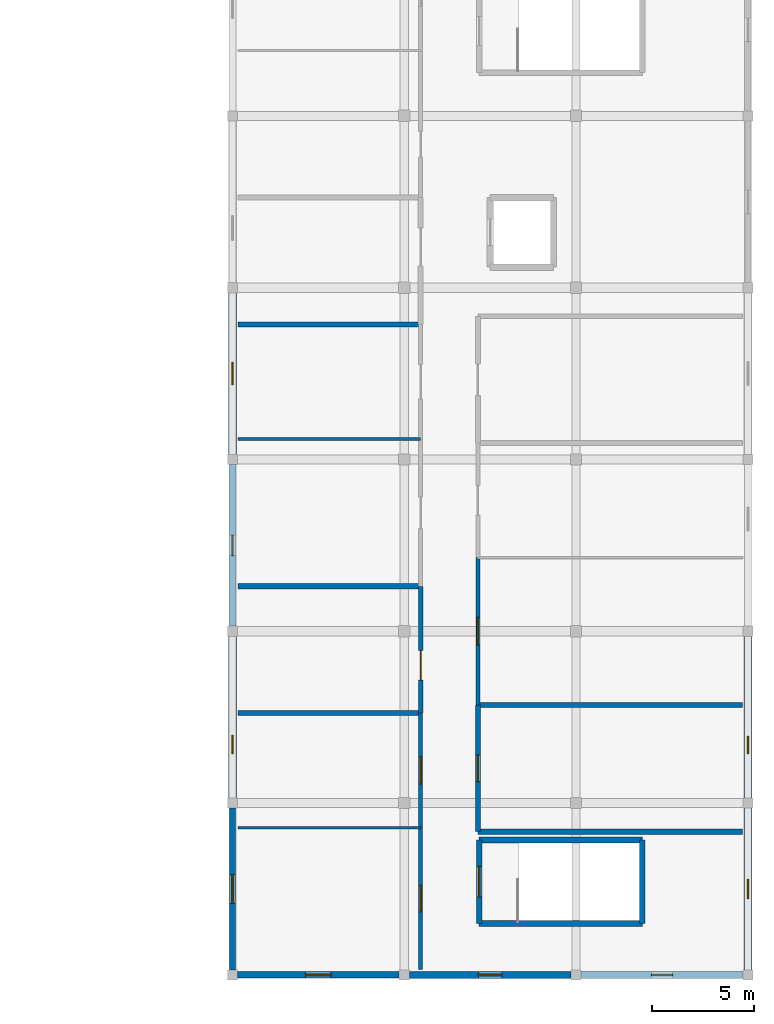
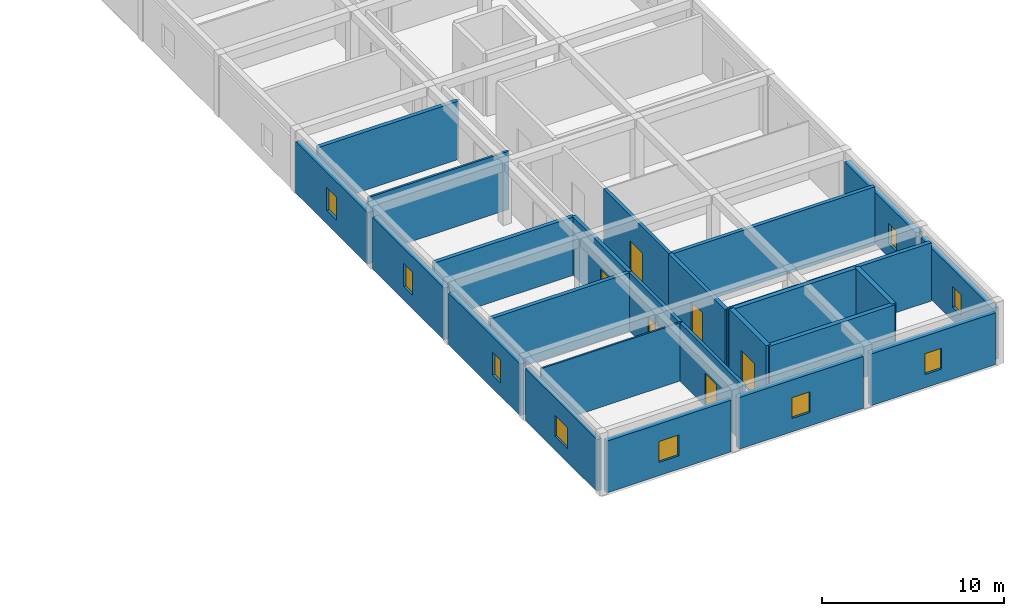
# One storey, part 15 of 28: 25 walls, 9 windows, 6 doors, 15 openings.
"""IFC4 building model written with IfcOpenShell, lengths in metres."""

from ifc_helpers import new_model, si_unit, direction, frame, frame_2d, origin, place, context, subcontext, project, spatial, rectangle, extrude, material, layer, layer_set, type_object, element, fill, save


model = new_model("IFC4")

# Units and contexts
model_context = context("Model", 3, precision=1e-05, world=origin(), true_north=direction((0.0, 1.0)))
body_context = subcontext(model_context, "Body", "Model", "MODEL_VIEW")
ifc_project = project(units=[si_unit("LENGTHUNIT", "METRE"), si_unit("AREAUNIT", "SQUARE_METRE"), si_unit("VOLUMEUNIT", "CUBIC_METRE"), si_unit("PLANEANGLEUNIT", "RADIAN"), si_unit("MASSUNIT", "GRAM", prefix="KILO")], contexts=[model_context])

# Site, building, storey
site_placement = place(None, origin())
site = spatial("IfcSite", under=ifc_project, at=site_placement, CompositionType="ELEMENT")
building_placement = place(site_placement, origin())
building = spatial("IfcBuilding", under=site, at=building_placement, Name="Varncliffe General Hospital", CompositionType="ELEMENT")
storey_placement = place(building_placement, frame((0.0, 0.0, 24.60009765625)))
storey = spatial("IfcBuildingStorey", under=building, at=storey_placement, Name="L05", CompositionType="ELEMENT", Elevation=24.60009765625)

# Wall, opening, window
ifc_material_1 = material(Name="Precast concrete C40/50 with insulated cream lime-cement stucco", Category="concrete")
ifc_layer_1 = layer(ifc_material_1, 0.31005859375)
ifc_layer_set_1 = layer_set([ifc_layer_1], Name="Precast concrete C40/50 with insulated cream lime-cement stucco")
wall_type_1 = type_object("IfcWallType", Name="Exterior Insulated Stucco Wall EW20 (310mm)", PredefinedType="SOLIDWALL", material=ifc_layer_set_1)
wall_1_placement = place(storey_placement, frame((159.35205078125, 15.60009765625, 0.0), z_axis=(0.0, 0.0, 1.0), x_axis=(-1.0, 0.0, 0.0)))
wall_1 = element("IfcWall", 1, at=wall_1_placement, inside=storey, type_object=wall_type_1, Name="L05 Exterior Stucco Wall EW20-464", PredefinedType="SOLIDWALL", context=body_context, shape_type="SweptSolid", body=[
    extrude(rectangle(XDim=7.904052734375, YDim=0.31005859375, at=frame_2d((3.9521484375, 0.0))), origin(), (0.0, 0.0, 1.0), 3.47998046875),
])
opening_1_placement = place(wall_1_placement, frame((3.326904296875, 0.0, 0.89990234375)))
opening_1 = element("IfcOpeningElement", 2, at=opening_1_placement, cuts=wall_1, Name="Opening WN43", PredefinedType="OPENING", context=body_context, shape_type="SweptSolid", body=[
    extrude(rectangle(XDim=1.25, YDim=1.39990234375, at=frame_2d((0.625, 0.699951171875))), frame((0.0, 0.1650390625, 0.0), z_axis=(0.0, -1.0, 0.0), x_axis=(1.0, 0.0, 0.0)), (0.0, 0.0, 1.0), 0.330078125),
])
ifc_material_2 = material(Name="Triple low-E argon insulated vision glazing", Category="glass")
window_type_1 = type_object("IfcWindowType", Name="Triple-Glazed Hospital Window WN43 (1250x1400)", PartitioningType="SINGLE_PANEL", PredefinedType="WINDOW", material=ifc_material_2)
window_1_placement = place(opening_1_placement, origin())
window_1 = element("IfcWindow", 3, at=window_1_placement, inside=storey, type_object=window_type_1, Name="L05 Hospital Window WN43-357", OverallHeight=1.39990234375, OverallWidth=1.25, PartitioningType="SINGLE_PANEL", PredefinedType="WINDOW", context=body_context, shape_type="SweptSolid", body=[
    extrude(rectangle(XDim=1.25, YDim=1.39990234375, at=frame_2d((0.625, 0.699951171875))), frame((0.0, 0.030029296875, 0.0), z_axis=(0.0, -1.0, 0.0), x_axis=(1.0, 0.0, 0.0)), (0.0, 0.0, 1.0), 0.06005859375),
])
fill(opening_1, window_1)

ifc_layer_2 = layer(ifc_material_1, 0.3798828125)
ifc_layer_set_2 = layer_set([ifc_layer_2], Name="Precast concrete C40/50 with insulated cream lime-cement stucco")
wall_type_2 = type_object("IfcWallType", Name="Exterior Insulated Stucco Wall EW26 (380mm)", PredefinedType="SOLIDWALL", material=ifc_layer_set_2)
wall_2_placement = place(storey_placement, frame((176.39990234375, 23.751953125, 0.0), z_axis=(0.0, 0.0, 1.0), x_axis=(0.0, -1.0, 0.0)))
wall_2 = element("IfcWall", 4, at=wall_2_placement, inside=storey, type_object=wall_type_2, Name="L05 Exterior Stucco Wall EW26-461", PredefinedType="SOLIDWALL", context=body_context, shape_type="SweptSolid", body=[
    extrude(rectangle(XDim=7.904052734375, YDim=0.3798828125, at=frame_2d((3.9521484375, 0.0))), origin(), (0.0, 0.0, 1.0), 3.47998046875),
])
opening_2_placement = place(wall_2_placement, frame((3.47705078125, 0.0, 0.89990234375)))
opening_2 = element("IfcOpeningElement", 5, at=opening_2_placement, cuts=wall_2, Name="Opening WN39", PredefinedType="OPENING", context=body_context, shape_type="SweptSolid", body=[
    extrude(rectangle(XDim=0.949951171875, YDim=1.39990234375, at=frame_2d((0.47509765625, 0.699951171875))), frame((0.0, 0.199951171875, 0.0), z_axis=(0.0, -1.0, 0.0), x_axis=(1.0, 0.0, 0.0)), (0.0, 0.0, 1.0), 0.39990234375),
])
window_type_2 = type_object("IfcWindowType", Name="Triple-Glazed Hospital Window WN39 (950x1400)", PartitioningType="SINGLE_PANEL", PredefinedType="WINDOW", material=ifc_material_2)
window_2_placement = place(opening_2_placement, origin())
window_2 = element("IfcWindow", 6, at=window_2_placement, inside=storey, type_object=window_type_2, Name="L05 Hospital Window WN39-354", OverallHeight=1.39990234375, OverallWidth=0.949951171875, PartitioningType="SINGLE_PANEL", PredefinedType="WINDOW", context=body_context, shape_type="SweptSolid", body=[
    extrude(rectangle(XDim=0.949951171875, YDim=1.39990234375, at=frame_2d((0.47509765625, 0.699951171875))), frame((0.0, 0.030029296875, 0.0), z_axis=(0.0, -1.0, 0.0), x_axis=(1.0, 0.0, 0.0)), (0.0, 0.0, 1.0), 0.06005859375),
])
fill(opening_2, window_2)

wall_3_placement = place(storey_placement, frame((151.199951171875, 24.248046875, 0.0), z_axis=(0.0, 0.0, 1.0), x_axis=(0.0, 1.0, 0.0)))
wall_3 = element("IfcWall", 7, at=wall_3_placement, inside=storey, type_object=wall_type_2, Name="L05 Exterior Stucco Wall EW26-466", PredefinedType="SOLIDWALL", context=body_context, shape_type="SweptSolid", body=[
    extrude(rectangle(XDim=7.904052734375, YDim=0.3798828125, at=frame_2d((3.9521484375, 0.0))), origin(), (0.0, 0.0, 1.0), 3.47998046875),
])
opening_3_placement = place(wall_3_placement, frame((2.1591796875, 0.0, 0.89990234375)))
opening_3 = element("IfcOpeningElement", 8, at=opening_3_placement, cuts=wall_3, Name="Opening WN45", PredefinedType="OPENING", context=body_context, shape_type="SweptSolid", body=[
    extrude(rectangle(XDim=0.89990234375, YDim=1.550048828125, at=frame_2d((0.449951171875, 0.77490234375))), frame((0.0, 0.199951171875, 0.0), z_axis=(0.0, -1.0, 0.0), x_axis=(1.0, 0.0, 0.0)), (0.0, 0.0, 1.0), 0.39990234375),
])
window_type_3 = type_object("IfcWindowType", Name="Triple-Glazed Hospital Window WN45 (900x1550)", PartitioningType="SINGLE_PANEL", PredefinedType="WINDOW", material=ifc_material_2)
window_3_placement = place(opening_3_placement, origin())
window_3 = element("IfcWindow", 9, at=window_3_placement, inside=storey, type_object=window_type_3, Name="L05 Hospital Window WN45-359", OverallHeight=1.550048828125, OverallWidth=0.89990234375, PartitioningType="SINGLE_PANEL", PredefinedType="WINDOW", context=body_context, shape_type="SweptSolid", body=[
    extrude(rectangle(XDim=0.89990234375, YDim=1.550048828125, at=frame_2d((0.449951171875, 0.77490234375))), frame((0.0, 0.030029296875, 0.0), z_axis=(0.0, -1.0, 0.0), x_axis=(1.0, 0.0, 0.0)), (0.0, 0.0, 1.0), 0.06005859375),
])
fill(opening_3, window_3)

ifc_layer_3 = layer(ifc_material_1, 0.2900390625)
ifc_layer_set_3 = layer_set([ifc_layer_3], Name="Precast concrete C40/50 with insulated cream lime-cement stucco")
wall_type_3 = type_object("IfcWallType", Name="Exterior Insulated Stucco Wall EW31 (290mm)", PredefinedType="SOLIDWALL", material=ifc_layer_set_3)
wall_4_placement = place(storey_placement, frame((151.199951171875, 15.847900390625, 0.0), z_axis=(0.0, 0.0, 1.0), x_axis=(0.0, 1.0, 0.0)))
wall_4 = element("IfcWall", 10, at=wall_4_placement, inside=storey, type_object=wall_type_3, Name="L05 Exterior Stucco Wall EW31-465", PredefinedType="SOLIDWALL", context=body_context, shape_type="SweptSolid", body=[
    extrude(rectangle(XDim=7.904052734375, YDim=0.2900390625, at=frame_2d((3.9521484375, 0.0))), origin(), (0.0, 0.0, 1.0), 3.47998046875),
])
opening_4_placement = place(wall_4_placement, frame((3.251953125, 0.0, 0.89990234375)))
opening_4 = element("IfcOpeningElement", 11, at=opening_4_placement, cuts=wall_4, Name="Opening WN76", PredefinedType="OPENING", context=body_context, shape_type="SweptSolid", body=[
    extrude(rectangle(XDim=1.39990234375, YDim=1.39990234375, at=frame_2d((0.699951171875, 0.699951171875))), frame((0.0, 0.155029296875, 0.0), z_axis=(0.0, -1.0, 0.0), x_axis=(1.0, 0.0, 0.0)), (0.0, 0.0, 1.0), 0.31005859375),
])
window_type_4 = type_object("IfcWindowType", Name="Triple-Glazed Hospital Window WN76 (1400x1400)", PartitioningType="SINGLE_PANEL", PredefinedType="WINDOW", material=ifc_material_2)
window_4_placement = place(opening_4_placement, origin())
window_4 = element("IfcWindow", 12, at=window_4_placement, inside=storey, type_object=window_type_4, Name="L05 Hospital Window WN76-358", OverallHeight=1.39990234375, OverallWidth=1.39990234375, PartitioningType="SINGLE_PANEL", PredefinedType="WINDOW", context=body_context, shape_type="SweptSolid", body=[
    extrude(rectangle(XDim=1.39990234375, YDim=1.39990234375, at=frame_2d((0.699951171875, 0.699951171875))), frame((0.0, 0.030029296875, 0.0), z_axis=(0.0, -1.0, 0.0), x_axis=(1.0, 0.0, 0.0)), (0.0, 0.0, 1.0), 0.06005859375),
])
fill(opening_4, window_4)

ifc_layer_4 = layer(ifc_material_1, 0.330078125)
ifc_layer_set_4 = layer_set([ifc_layer_4], Name="Precast concrete C40/50 with insulated cream lime-cement stucco")
wall_type_4 = type_object("IfcWallType", Name="Exterior Insulated Stucco Wall EW33 (330mm)", PredefinedType="SOLIDWALL", material=ifc_layer_set_4)
wall_5_placement = place(storey_placement, frame((167.751953125, 15.60009765625, 0.0), z_axis=(0.0, 0.0, 1.0), x_axis=(-1.0, 0.0, 0.0)))
wall_5 = element("IfcWall", 13, at=wall_5_placement, inside=storey, type_object=wall_type_4, Name="L05 Exterior Stucco Wall EW33-463", PredefinedType="SOLIDWALL", context=body_context, shape_type="SweptSolid", body=[
    extrude(rectangle(XDim=7.904052734375, YDim=0.330078125, at=frame_2d((3.9521484375, 0.0))), origin(), (0.0, 0.0, 1.0), 3.47998046875),
])
opening_5_placement = place(wall_5_placement, frame((3.376953125, 0.0, 0.89990234375)))
opening_5 = element("IfcOpeningElement", 14, at=opening_5_placement, cuts=wall_5, Name="Opening WN62", PredefinedType="OPENING", context=body_context, shape_type="SweptSolid", body=[
    extrude(rectangle(XDim=1.14990234375, YDim=1.39990234375, at=frame_2d((0.574951171875, 0.699951171875))), frame((0.0, 0.175048828125, 0.0), z_axis=(0.0, -1.0, 0.0), x_axis=(1.0, 0.0, 0.0)), (0.0, 0.0, 1.0), 0.35009765625),
])
window_type_5 = type_object("IfcWindowType", Name="Triple-Glazed Hospital Window WN62 (1150x1400)", PartitioningType="SINGLE_PANEL", PredefinedType="WINDOW", material=ifc_material_2)
window_5_placement = place(opening_5_placement, origin())
window_5 = element("IfcWindow", 15, at=window_5_placement, inside=storey, type_object=window_type_5, Name="L05 Hospital Window WN62-356", OverallHeight=1.39990234375, OverallWidth=1.14990234375, PartitioningType="SINGLE_PANEL", PredefinedType="WINDOW", context=body_context, shape_type="SweptSolid", body=[
    extrude(rectangle(XDim=1.14990234375, YDim=1.39990234375, at=frame_2d((0.574951171875, 0.699951171875))), frame((0.0, 0.030029296875, 0.0), z_axis=(0.0, -1.0, 0.0), x_axis=(1.0, 0.0, 0.0)), (0.0, 0.0, 1.0), 0.06005859375),
])
fill(opening_5, window_5)

ifc_layer_5 = layer(ifc_material_1, 0.35009765625)
ifc_layer_set_5 = layer_set([ifc_layer_5], Name="Precast concrete C40/50 with insulated cream lime-cement stucco")
wall_type_5 = type_object("IfcWallType", Name="Exterior Insulated Stucco Wall EW37 (350mm)", PredefinedType="SOLIDWALL", material=ifc_layer_set_5)
wall_6_placement = place(storey_placement, frame((176.152099609375, 15.60009765625, 0.0), z_axis=(0.0, 0.0, 1.0), x_axis=(-1.0, 0.0, 0.0)))
wall_6 = element("IfcWall", 16, at=wall_6_placement, inside=storey, type_object=wall_type_5, Name="L05 Exterior Stucco Wall EW37-462", PredefinedType="SOLIDWALL", context=body_context, shape_type="SweptSolid", body=[
    extrude(rectangle(XDim=7.904052734375, YDim=0.35009765625, at=frame_2d((3.9521484375, 0.0))), origin(), (0.0, 0.0, 1.0), 3.47998046875),
])
opening_6_placement = place(wall_6_placement, frame((3.427001953125, 0.0, 0.89990234375)))
opening_6 = element("IfcOpeningElement", 17, at=opening_6_placement, cuts=wall_6, Name="Opening WN68", PredefinedType="OPENING", context=body_context, shape_type="SweptSolid", body=[
    extrude(rectangle(XDim=1.050048828125, YDim=1.39990234375, at=frame_2d((0.52490234375, 0.699951171875))), frame((0.0, 0.18505859375, 0.0), z_axis=(0.0, -1.0, 0.0), x_axis=(1.0, 0.0, 0.0)), (0.0, 0.0, 1.0), 0.3701171875),
])
window_type_6 = type_object("IfcWindowType", Name="Triple-Glazed Hospital Window WN68 (1050x1400)", PartitioningType="SINGLE_PANEL", PredefinedType="WINDOW", material=ifc_material_2)
window_6_placement = place(opening_6_placement, origin())
window_6 = element("IfcWindow", 18, at=window_6_placement, inside=storey, type_object=window_type_6, Name="L05 Hospital Window WN68-355", OverallHeight=1.39990234375, OverallWidth=1.050048828125, PartitioningType="SINGLE_PANEL", PredefinedType="WINDOW", context=body_context, shape_type="SweptSolid", body=[
    extrude(rectangle(XDim=1.050048828125, YDim=1.39990234375, at=frame_2d((0.52490234375, 0.699951171875))), frame((0.0, 0.030029296875, 0.0), z_axis=(0.0, -1.0, 0.0), x_axis=(1.0, 0.0, 0.0)), (0.0, 0.0, 1.0), 0.06005859375),
])
fill(opening_6, window_6)

wall_7_placement = place(storey_placement, frame((151.199951171875, 32.64794921875, 0.0), z_axis=(0.0, 0.0, 1.0), x_axis=(0.0, 1.0, 0.0)))
wall_7 = element("IfcWall", 19, at=wall_7_placement, inside=storey, type_object=wall_type_5, Name="L05 Exterior Stucco Wall EW37-467", PredefinedType="SOLIDWALL", context=body_context, shape_type="SweptSolid", body=[
    extrude(rectangle(XDim=7.904052734375, YDim=0.35009765625, at=frame_2d((3.9521484375, 0.0))), origin(), (0.0, 0.0, 1.0), 3.47998046875),
])
opening_7_placement = place(wall_7_placement, frame((3.451904296875, 0.0, 0.89990234375)))
opening_7 = element("IfcOpeningElement", 20, at=opening_7_placement, cuts=wall_7, Name="Opening WN21", PredefinedType="OPENING", context=body_context, shape_type="SweptSolid", body=[
    extrude(rectangle(XDim=1.0, YDim=1.550048828125, at=frame_2d((0.5, 0.77490234375))), frame((0.0, 0.18505859375, 0.0), z_axis=(0.0, -1.0, 0.0), x_axis=(1.0, 0.0, 0.0)), (0.0, 0.0, 1.0), 0.3701171875),
])
window_type_7 = type_object("IfcWindowType", Name="Triple-Glazed Hospital Window WN21 (1000x1550)", PartitioningType="SINGLE_PANEL", PredefinedType="WINDOW", material=ifc_material_2)
window_7_placement = place(opening_7_placement, origin())
window_7 = element("IfcWindow", 21, at=window_7_placement, inside=storey, type_object=window_type_7, Name="L05 Hospital Window WN21-360", OverallHeight=1.550048828125, OverallWidth=1.0, PartitioningType="SINGLE_PANEL", PredefinedType="WINDOW", context=body_context, shape_type="SweptSolid", body=[
    extrude(rectangle(XDim=1.0, YDim=1.550048828125, at=frame_2d((0.5, 0.77490234375))), frame((0.0, 0.030029296875, 0.0), z_axis=(0.0, -1.0, 0.0), x_axis=(1.0, 0.0, 0.0)), (0.0, 0.0, 1.0), 0.06005859375),
])
fill(opening_7, window_7)

ifc_layer_6 = layer(ifc_material_1, 0.39990234375)
ifc_layer_set_6 = layer_set([ifc_layer_6], Name="Precast concrete C40/50 with insulated cream lime-cement stucco")
wall_type_6 = type_object("IfcWallType", Name="Exterior Insulated Stucco Wall EW47 (400mm)", PredefinedType="SOLIDWALL", material=ifc_layer_set_6)
wall_8_placement = place(storey_placement, frame((176.39990234375, 32.152099609375, 0.0), z_axis=(0.0, 0.0, 1.0), x_axis=(0.0, -1.0, 0.0)))
wall_8 = element("IfcWall", 22, at=wall_8_placement, inside=storey, type_object=wall_type_6, Name="L05 Exterior Stucco Wall EW47-460", PredefinedType="SOLIDWALL", context=body_context, shape_type="SweptSolid", body=[
    extrude(rectangle(XDim=7.904052734375, YDim=0.39990234375, at=frame_2d((3.9521484375, 0.0))), origin(), (0.0, 0.0, 1.0), 3.47998046875),
])
opening_8_placement = place(wall_8_placement, frame((4.880859375, 0.0, 0.89990234375)))
opening_8 = element("IfcOpeningElement", 23, at=opening_8_placement, cuts=wall_8, Name="Opening WN77", PredefinedType="OPENING", context=body_context, shape_type="SweptSolid", body=[
    extrude(rectangle(XDim=0.85009765625, YDim=1.39990234375, at=frame_2d((0.425048828125, 0.699951171875))), frame((0.0, 0.2099609375, 0.0), z_axis=(0.0, -1.0, 0.0), x_axis=(1.0, 0.0, 0.0)), (0.0, 0.0, 1.0), 0.419921875),
])
window_type_8 = type_object("IfcWindowType", Name="Triple-Glazed Hospital Window WN77 (850x1400)", PartitioningType="SINGLE_PANEL", PredefinedType="WINDOW", material=ifc_material_2)
window_8_placement = place(opening_8_placement, origin())
window_8 = element("IfcWindow", 24, at=window_8_placement, inside=storey, type_object=window_type_8, Name="L05 Hospital Window WN77-353", OverallHeight=1.39990234375, OverallWidth=0.85009765625, PartitioningType="SINGLE_PANEL", PredefinedType="WINDOW", context=body_context, shape_type="SweptSolid", body=[
    extrude(rectangle(XDim=0.85009765625, YDim=1.39990234375, at=frame_2d((0.425048828125, 0.699951171875))), frame((0.0, 0.030029296875, 0.0), z_axis=(0.0, -1.0, 0.0), x_axis=(1.0, 0.0, 0.0)), (0.0, 0.0, 1.0), 0.06005859375),
])
fill(opening_8, window_8)

wall_9_placement = place(storey_placement, frame((151.199951171875, 41.048095703125, 0.0), z_axis=(0.0, 0.0, 1.0), x_axis=(0.0, 1.0, 0.0)))
wall_9 = element("IfcWall", 25, at=wall_9_placement, inside=storey, type_object=wall_type_6, Name="L05 Exterior Stucco Wall EW47-468", PredefinedType="SOLIDWALL", context=body_context, shape_type="SweptSolid", body=[
    extrude(rectangle(XDim=7.90380859375, YDim=0.39990234375, at=frame_2d((3.951904296875, 0.0))), origin(), (0.0, 0.0, 1.0), 3.47998046875),
])
opening_9_placement = place(wall_9_placement, frame((3.402099609375, 0.0, 0.89990234375)))
opening_9 = element("IfcOpeningElement", 26, at=opening_9_placement, cuts=wall_9, Name="Opening WN69", PredefinedType="OPENING", context=body_context, shape_type="SweptSolid", body=[
    extrude(rectangle(XDim=1.10009765625, YDim=1.550048828125, at=frame_2d((0.550048828125, 0.77490234375))), frame((0.0, 0.2099609375, 0.0), z_axis=(0.0, -1.0, 0.0), x_axis=(1.0, 0.0, 0.0)), (0.0, 0.0, 1.0), 0.419921875),
])
window_type_9 = type_object("IfcWindowType", Name="Triple-Glazed Hospital Window WN69 (1100x1550)", PartitioningType="SINGLE_PANEL", PredefinedType="WINDOW", material=ifc_material_2)
window_9_placement = place(opening_9_placement, origin())
window_9 = element("IfcWindow", 27, at=window_9_placement, inside=storey, type_object=window_type_9, Name="L05 Hospital Window WN69-361", OverallHeight=1.550048828125, OverallWidth=1.10009765625, PartitioningType="SINGLE_PANEL", PredefinedType="WINDOW", context=body_context, shape_type="SweptSolid", body=[
    extrude(rectangle(XDim=1.10009765625, YDim=1.550048828125, at=frame_2d((0.550048828125, 0.77490234375))), frame((0.0, 0.030029296875, 0.0), z_axis=(0.0, -1.0, 0.0), x_axis=(1.0, 0.0, 0.0)), (0.0, 0.0, 1.0), 0.06005859375),
])
fill(opening_9, window_9)

# Walls
ifc_material_3 = material(Name="Acoustic clinical gypsum stud partition assembly", Category="gypsum")
ifc_layer_7 = layer(ifc_material_3, 0.1298828125)
ifc_layer_set_7 = layer_set([ifc_layer_7], Name="Acoustic clinical gypsum stud partition assembly")
wall_type_7 = type_object("IfcWallType", Name="Interior Partitioning IW11 (130mm)", PredefinedType="PARTITIONING", material=ifc_layer_set_7)
wall_10_placement = place(storey_placement, frame((151.4599609375, 41.800048828125, 0.0), z_axis=(0.0, 0.0, 1.0), x_axis=(1.0, 0.0, 0.0)))
element("IfcWall", 28, at=wall_10_placement, inside=storey, type_object=wall_type_7, Name="L05 Interior Partition Wall IW11-2008", PredefinedType="PARTITIONING", context=body_context, shape_type="SweptSolid", body=[
    extrude(rectangle(XDim=8.93994140625, YDim=0.1298828125, at=frame_2d((4.469970703125, 0.0))), origin(), (0.0, 0.0, 1.0), 3.919921875),
])
ifc_layer_8 = layer(ifc_material_3, 0.110107421875)
ifc_layer_set_8 = layer_set([ifc_layer_8], Name="Acoustic clinical gypsum stud partition assembly")
wall_type_8 = type_object("IfcWallType", Name="Interior Partitioning IW65 (110mm)", PredefinedType="PARTITIONING", material=ifc_layer_set_8)
wall_11_placement = place(storey_placement, frame((151.4599609375, 22.800048828125, 0.0), z_axis=(0.0, 0.0, 1.0), x_axis=(1.0, 0.0, 0.0)))
element("IfcWall", 29, at=wall_11_placement, inside=storey, type_object=wall_type_8, Name="L05 Interior Partition Wall IW65-2002", PredefinedType="PARTITIONING", context=body_context, shape_type="SweptSolid", body=[
    extrude(rectangle(XDim=8.93994140625, YDim=0.110107421875, at=frame_2d((4.469970703125, 0.0))), origin(), (0.0, 0.0, 1.0), 3.919921875),
])
ifc_material_4 = material(Name="Fire-rated gypsum and mineral-wool partition assembly", Category="gypsum")
ifc_layer_9 = layer(ifc_material_4, 0.25)
ifc_layer_set_9 = layer_set([ifc_layer_9], Name="Fire-rated gypsum and mineral-wool partition assembly")
wall_type_9 = type_object("IfcWallType", Name="Interior Partitioning PW38 (250mm)", PredefinedType="PARTITIONING", material=ifc_layer_set_9)
wall_12_placement = place(storey_placement, frame((163.199951171875, 22.60009765625, 0.0), z_axis=(0.0, 0.0, 1.0), x_axis=(1.0, 0.0, 0.0)))
element("IfcWall", 30, at=wall_12_placement, inside=storey, type_object=wall_type_9, Name="L05 Interior Partition Wall PW38-2001", PredefinedType="PARTITIONING", context=body_context, shape_type="SweptSolid", body=[
    extrude(rectangle(XDim=12.93994140625, YDim=0.25, at=frame_2d((6.469970703125, 0.0))), origin(), (0.0, 0.0, 1.0), 3.919921875),
])
for number, where, z_axis, x_axis, name in (
    (31, (151.4599609375, 28.39990234375, 0.0), (0.0, 0.0, 1.0), (1.0, 0.0, 0.0), "L05 Interior Partition Wall PW38-2003"),
    (32, (151.4599609375, 34.60009765625, 0.0), (0.0, 0.0, 1.0), (1.0, 0.0, 0.0), "L05 Interior Partition Wall PW38-2005"),
    (33, (151.4599609375, 47.39990234375, 0.0), (0.0, 0.0, 1.0), (1.0, 0.0, 0.0), "L05 Interior Partition Wall PW38-2009"),
):
    element("IfcWall", number, at=place(storey_placement, frame(where, z_axis=z_axis, x_axis=x_axis)), inside=storey, type_object=wall_type_9, Name=name, PredefinedType="PARTITIONING", context=body_context, shape_type="SweptSolid", body=[
        extrude(rectangle(XDim=8.93994140625, YDim=0.25, at=frame_2d((4.469970703125, 0.0))), origin(), (0.0, 0.0, 1.0), 3.919921875),
    ])
ifc_layer_10 = layer(ifc_material_4, 0.22998046875)
ifc_layer_set_10 = layer_set([ifc_layer_10], Name="Fire-rated gypsum and mineral-wool partition assembly")
wall_type_10 = type_object("IfcWallType", Name="Interior Partitioning PW48 (230mm)", PredefinedType="PARTITIONING", material=ifc_layer_set_10)
wall_13_placement = place(storey_placement, frame((163.199951171875, 28.800048828125, 0.0), z_axis=(0.0, 0.0, 1.0), x_axis=(1.0, 0.0, 0.0)))
element("IfcWall", 34, at=wall_13_placement, inside=storey, type_object=wall_type_10, Name="L05 Interior Partition Wall PW48-2004", PredefinedType="PARTITIONING", context=body_context, shape_type="SweptSolid", body=[
    extrude(rectangle(XDim=12.93994140625, YDim=0.22998046875, at=frame_2d((6.469970703125, 0.0))), origin(), (0.0, 0.0, 1.0), 3.919921875),
])

# Wall, opening, door
wall_14_placement = place(storey_placement, frame((160.39990234375, 28.39990234375, 0.0), z_axis=(0.0, 0.0, 1.0), x_axis=(0.0, 1.0, 0.0)))
wall_14 = element("IfcWall", 35, at=wall_14_placement, inside=storey, type_object=wall_type_10, Name="L05 Interior Partition Wall PW48-2168", PredefinedType="PARTITIONING", context=body_context, shape_type="SweptSolid", body=[
    extrude(rectangle(XDim=6.2001953125, YDim=0.22998046875, at=frame_2d((3.10009765625, 0.0))), origin(), (0.0, 0.0, 1.0), 3.919921875),
])
opening_10_placement = place(wall_14_placement, frame((1.6064453125, 0.0, 0.0)))
opening_10 = element("IfcOpeningElement", 36, at=opening_10_placement, cuts=wall_14, Name="Opening DC66", PredefinedType="OPENING", context=body_context, shape_type="SweptSolid", body=[
    extrude(rectangle(XDim=1.449951171875, YDim=2.25, at=frame_2d((0.72509765625, 1.125))), frame((0.0, 0.125, 0.0), z_axis=(0.0, -1.0, 0.0), x_axis=(1.0, 0.0, 0.0)), (0.0, 0.0, 1.0), 0.25),
])
ifc_material_5 = material(Name="Fire-rated hospital steel-frame vision-panel door", Category="steel")
door_type_1 = type_object("IfcDoorType", Name="Interior Hospital Door DC66 (1450x2250)", OperationType="NOTDEFINED", PredefinedType="DOOR", material=ifc_material_5)
door_1_placement = place(opening_10_placement, origin())
door_1 = element("IfcDoor", 37, at=door_1_placement, inside=storey, type_object=door_type_1, Name="L05 Clinic Clean Supply Store 29 Door", OperationType="SINGLE_SWING_LEFT", OverallHeight=2.25, OverallWidth=1.449951171875, PredefinedType="DOOR", context=body_context, shape_type="SweptSolid", body=[
    extrude(rectangle(XDim=1.449951171875, YDim=2.25, at=frame_2d((0.72509765625, 1.125))), frame((0.0, 0.02490234375, 0.0), z_axis=(0.0, -1.0, 0.0), x_axis=(1.0, 0.0, 0.0)), (0.0, 0.0, 1.0), 0.050048828125),
])
fill(opening_10, door_1)

wall_15_placement = place(storey_placement, frame((163.199951171875, 22.60009765625, 0.0), z_axis=(0.0, 0.0, 1.0), x_axis=(0.0, 1.0, 0.0)))
wall_15 = element("IfcWall", 38, at=wall_15_placement, inside=storey, type_object=wall_type_10, Name="L05 Interior Partition Wall PW48-2180", PredefinedType="PARTITIONING", context=body_context, shape_type="SweptSolid", body=[
    extrude(rectangle(XDim=6.199951171875, YDim=0.22998046875, at=frame_2d((3.10009765625, 0.0))), origin(), (0.0, 0.0, 1.0), 3.919921875),
])
opening_11_placement = place(wall_15_placement, frame((2.449951171875, 0.0, 0.0)))
opening_11 = element("IfcOpeningElement", 39, at=opening_11_placement, cuts=wall_15, Name="Opening DC88", PredefinedType="OPENING", context=body_context, shape_type="SweptSolid", body=[
    extrude(rectangle(XDim=1.300048828125, YDim=2.199951171875, at=frame_2d((0.64990234375, 1.10009765625))), frame((0.0, 0.125, 0.0), z_axis=(0.0, -1.0, 0.0), x_axis=(1.0, 0.0, 0.0)), (0.0, 0.0, 1.0), 0.25),
])
door_type_2 = type_object("IfcDoorType", Name="Interior Hospital Door DC88 (1300x2200)", OperationType="NOTDEFINED", PredefinedType="DOOR", material=ifc_material_5)
door_2_placement = place(opening_11_placement, frame((1.300048828125, 0.0, 0.0), z_axis=(0.0, 0.0, 1.0), x_axis=(-1.0, 0.0, 0.0)))
door_2 = element("IfcDoor", 40, at=door_2_placement, inside=storey, type_object=door_type_2, Name="L05 Clinic Clean Supply Store 38 Door", OperationType="SINGLE_SWING_LEFT", OverallHeight=2.199951171875, OverallWidth=1.300048828125, PredefinedType="DOOR", context=body_context, shape_type="SweptSolid", body=[
    extrude(rectangle(XDim=1.300048828125, YDim=2.199951171875, at=frame_2d((0.64990234375, 1.10009765625))), frame((0.0, 0.02490234375, 0.0), z_axis=(0.0, -1.0, 0.0), x_axis=(1.0, 0.0, 0.0)), (0.0, 0.0, 1.0), 0.050048828125),
])
fill(opening_11, door_2)

ifc_layer_11 = layer(ifc_material_4, 0.199951171875)
ifc_layer_set_11 = layer_set([ifc_layer_11], Name="Fire-rated gypsum and mineral-wool partition assembly")
wall_type_11 = type_object("IfcWallType", Name="Interior Partitioning PW63 (200mm)", PredefinedType="PARTITIONING", material=ifc_layer_set_11)
wall_16_placement = place(storey_placement, frame((160.39990234375, 15.860107421875, 0.0), z_axis=(0.0, 0.0, 1.0), x_axis=(0.0, 1.0, 0.0)))
wall_16 = element("IfcWall", 41, at=wall_16_placement, inside=storey, type_object=wall_type_11, Name="L05 Interior Partition Wall PW63-2166", PredefinedType="PARTITIONING", context=body_context, shape_type="SweptSolid", body=[
    extrude(rectangle(XDim=6.93994140625, YDim=0.199951171875, at=frame_2d((3.469970703125, 0.0))), origin(), (0.0, 0.0, 1.0), 3.919921875),
])
opening_12_placement = place(wall_16_placement, frame((2.820068359375, 0.0, 0.0)))
opening_12 = element("IfcOpeningElement", 42, at=opening_12_placement, cuts=wall_16, Name="Opening DC88", PredefinedType="OPENING", context=body_context, shape_type="SweptSolid", body=[
    extrude(rectangle(XDim=1.300048828125, YDim=2.199951171875, at=frame_2d((0.64990234375, 1.10009765625))), frame((0.0, 0.10986328125, 0.0), z_axis=(0.0, -1.0, 0.0), x_axis=(1.0, 0.0, 0.0)), (0.0, 0.0, 1.0), 0.219970703125),
])
door_3_placement = place(opening_12_placement, origin())
door_3 = element("IfcDoor", 43, at=door_3_placement, inside=storey, type_object=door_type_2, Name="L05 Maternal-Fetal Medicine Ultrasound Clinic 27 Door", OperationType="SINGLE_SWING_LEFT", OverallHeight=2.199951171875, OverallWidth=1.300048828125, PredefinedType="DOOR", context=body_context, shape_type="SweptSolid", body=[
    extrude(rectangle(XDim=1.300048828125, YDim=2.199951171875, at=frame_2d((0.64990234375, 1.10009765625))), frame((0.0, 0.02490234375, 0.0), z_axis=(0.0, -1.0, 0.0), x_axis=(1.0, 0.0, 0.0)), (0.0, 0.0, 1.0), 0.050048828125),
])
fill(opening_12, door_3)

wall_17_placement = place(storey_placement, frame((160.39990234375, 22.800048828125, 0.0), z_axis=(0.0, 0.0, 1.0), x_axis=(0.0, 1.0, 0.0)))
wall_17 = element("IfcWall", 44, at=wall_17_placement, inside=storey, type_object=wall_type_11, Name="L05 Interior Partition Wall PW63-2167", PredefinedType="PARTITIONING", context=body_context, shape_type="SweptSolid", body=[
    extrude(rectangle(XDim=5.599853515625, YDim=0.199951171875, at=frame_2d((2.7998046875, 0.0))), origin(), (0.0, 0.0, 1.0), 3.919921875),
])
opening_13_placement = place(wall_17_placement, frame((2.125, 0.0, 0.0)))
opening_13 = element("IfcOpeningElement", 45, at=opening_13_placement, cuts=wall_17, Name="Opening DC85", PredefinedType="OPENING", context=body_context, shape_type="SweptSolid", body=[
    extrude(rectangle(XDim=1.35009765625, YDim=2.199951171875, at=frame_2d((0.675048828125, 1.10009765625))), frame((0.0, 0.10986328125, 0.0), z_axis=(0.0, -1.0, 0.0), x_axis=(1.0, 0.0, 0.0)), (0.0, 0.0, 1.0), 0.219970703125),
])
door_type_3 = type_object("IfcDoorType", Name="Interior Hospital Door DC85 (1350x2200)", OperationType="NOTDEFINED", PredefinedType="DOOR", material=ifc_material_5)
door_4_placement = place(opening_13_placement, origin())
door_4 = element("IfcDoor", 46, at=door_4_placement, inside=storey, type_object=door_type_3, Name="L05 Outpatient Genetics and Counselling Suite 28 Door", OperationType="SINGLE_SWING_RIGHT", OverallHeight=2.199951171875, OverallWidth=1.35009765625, PredefinedType="DOOR", context=body_context, shape_type="SweptSolid", body=[
    extrude(rectangle(XDim=1.35009765625, YDim=2.199951171875, at=frame_2d((0.675048828125, 1.10009765625))), frame((0.0, 0.02490234375, 0.0), z_axis=(0.0, -1.0, 0.0), x_axis=(1.0, 0.0, 0.0)), (0.0, 0.0, 1.0), 0.050048828125),
])
fill(opening_13, door_4)

wall_18_placement = place(storey_placement, frame((163.199951171875, 28.800048828125, 0.0), z_axis=(0.0, 0.0, 1.0), x_axis=(0.0, 1.0, 0.0)))
wall_18 = element("IfcWall", 47, at=wall_18_placement, inside=storey, type_object=wall_type_11, Name="L05 Interior Partition Wall PW63-2181", PredefinedType="PARTITIONING", context=body_context, shape_type="SweptSolid", body=[
    extrude(rectangle(XDim=7.199951171875, YDim=0.199951171875, at=frame_2d((3.60009765625, 0.0))), origin(), (0.0, 0.0, 1.0), 3.919921875),
])
opening_14_placement = place(wall_18_placement, frame((2.925048828125, 0.0, 0.0)))
opening_14 = element("IfcOpeningElement", 48, at=opening_14_placement, cuts=wall_18, Name="Opening DC85", PredefinedType="OPENING", context=body_context, shape_type="SweptSolid", body=[
    extrude(rectangle(XDim=1.35009765625, YDim=2.199951171875, at=frame_2d((0.675048828125, 1.10009765625))), frame((0.0, 0.10986328125, 0.0), z_axis=(0.0, -1.0, 0.0), x_axis=(1.0, 0.0, 0.0)), (0.0, 0.0, 1.0), 0.219970703125),
])
door_5_placement = place(opening_14_placement, frame((1.35009765625, 0.0, 0.0), z_axis=(0.0, 0.0, 1.0), x_axis=(-1.0, 0.0, 0.0)))
door_5 = element("IfcDoor", 49, at=door_5_placement, inside=storey, type_object=door_type_3, Name="L05 Maternal-Fetal Medicine Ultrasound Clinic 39 Door", OperationType="SINGLE_SWING_RIGHT", OverallHeight=2.199951171875, OverallWidth=1.35009765625, PredefinedType="DOOR", context=body_context, shape_type="SweptSolid", body=[
    extrude(rectangle(XDim=1.35009765625, YDim=2.199951171875, at=frame_2d((0.675048828125, 1.10009765625))), frame((0.0, 0.02490234375, 0.0), z_axis=(0.0, -1.0, 0.0), x_axis=(1.0, 0.0, 0.0)), (0.0, 0.0, 1.0), 0.050048828125),
])
fill(opening_14, door_5)

# Walls
ifc_material_6 = material(Name="Concrete C40/50 (CSA A23.1 40 MPa)", Category="concrete")
ifc_layer_12 = layer(ifc_material_6, 0.280029296875)
ifc_layer_set_12 = layer_set([ifc_layer_12], Name="Concrete C40/50 (CSA A23.1 40 MPa)")
wall_type_12 = type_object("IfcWallType", Name="Reinforced Concrete Core Shear Wall CW13 (280mm)", PredefinedType="SHEAR", material=ifc_layer_set_12)
wall_19_placement = place(storey_placement, frame((163.260009765625, 18.110107421875, 0.0), z_axis=(0.0, 0.0, 1.0), x_axis=(1.0, 0.0, 0.0)))
element("IfcWall", 50, at=wall_19_placement, inside=storey, type_object=wall_type_12, Name="L05 ST11 Core Shear Wall L", PredefinedType="SHEAR", context=body_context, shape_type="SweptSolid", body=[
    extrude(rectangle(XDim=7.97998046875, YDim=0.280029296875, at=frame_2d((3.989990234375, 0.0))), origin(), (0.0, 0.0, 1.0), 4.199951171875),
])
wall_20_placement = place(storey_placement, frame((171.239990234375, 18.110107421875, 0.0), z_axis=(0.0, 0.0, 1.0), x_axis=(0.0, 1.0, 0.0)))
element("IfcWall", 51, at=wall_20_placement, inside=storey, type_object=wall_type_12, Name="L05 ST11 Core Shear Wall F", PredefinedType="SHEAR", context=body_context, shape_type="SweptSolid", body=[
    extrude(rectangle(XDim=4.079833984375, YDim=0.280029296875, at=frame_2d((2.0400390625, 0.0))), origin(), (0.0, 0.0, 1.0), 4.199951171875),
])
wall_21_placement = place(storey_placement, frame((171.239990234375, 22.18994140625, 0.0), z_axis=(0.0, 0.0, 1.0), x_axis=(-1.0, 0.0, 0.0)))
element("IfcWall", 52, at=wall_21_placement, inside=storey, type_object=wall_type_12, Name="L05 ST11 Core Shear Wall R", PredefinedType="SHEAR", context=body_context, shape_type="SweptSolid", body=[
    extrude(rectangle(XDim=7.97998046875, YDim=0.280029296875, at=frame_2d((3.989990234375, 0.0))), origin(), (0.0, 0.0, 1.0), 4.199951171875),
])

# Wall, opening, door
wall_22_placement = place(storey_placement, frame((163.260009765625, 22.18994140625, 0.0), z_axis=(0.0, 0.0, 1.0), x_axis=(0.0, -1.0, 0.0)))
wall_22 = element("IfcWall", 53, at=wall_22_placement, inside=storey, type_object=wall_type_12, Name="L05 ST11 Core Shear Wall N", PredefinedType="SHEAR", context=body_context, shape_type="SweptSolid", body=[
    extrude(rectangle(XDim=4.079833984375, YDim=0.280029296875, at=frame_2d((2.0400390625, 0.0))), origin(), (0.0, 0.0, 1.0), 4.199951171875),
])
opening_15_placement = place(wall_22_placement, frame((1.2900390625, 0.0, 0.0)))
opening_15 = element("IfcOpeningElement", 54, at=opening_15_placement, cuts=wall_22, Name="Opening DF28", PredefinedType="OPENING", context=body_context, shape_type="SweptSolid", body=[
    extrude(rectangle(XDim=1.5, YDim=2.199951171875, at=frame_2d((0.75, 1.10009765625))), frame((0.0, 0.14990234375, 0.0), z_axis=(0.0, -1.0, 0.0), x_axis=(1.0, 0.0, 0.0)), (0.0, 0.0, 1.0), 0.300048828125),
])
door_type_4 = type_object("IfcDoorType", Name="Interior Hospital Door DF28 (1500x2200)", OperationType="NOTDEFINED", PredefinedType="DOOR", material=ifc_material_5)
door_6_placement = place(opening_15_placement, frame((1.5, 0.0, 0.0), z_axis=(0.0, 0.0, 1.0), x_axis=(-1.0, 0.0, 0.0)))
door_6 = element("IfcDoor", 55, at=door_6_placement, inside=storey, type_object=door_type_4, Name="L05 ST11 Protected Exit Stair Door", OperationType="SINGLE_SWING_LEFT", OverallHeight=2.199951171875, OverallWidth=1.5, PredefinedType="DOOR", context=body_context, shape_type="SweptSolid", body=[
    extrude(rectangle(XDim=1.5, YDim=2.199951171875, at=frame_2d((0.75, 1.10009765625))), frame((0.0, 0.02490234375, 0.0), z_axis=(0.0, -1.0, 0.0), x_axis=(1.0, 0.0, 0.0)), (0.0, 0.0, 1.0), 0.050048828125),
])
fill(opening_15, door_6)

save(model, "model.ifc")
